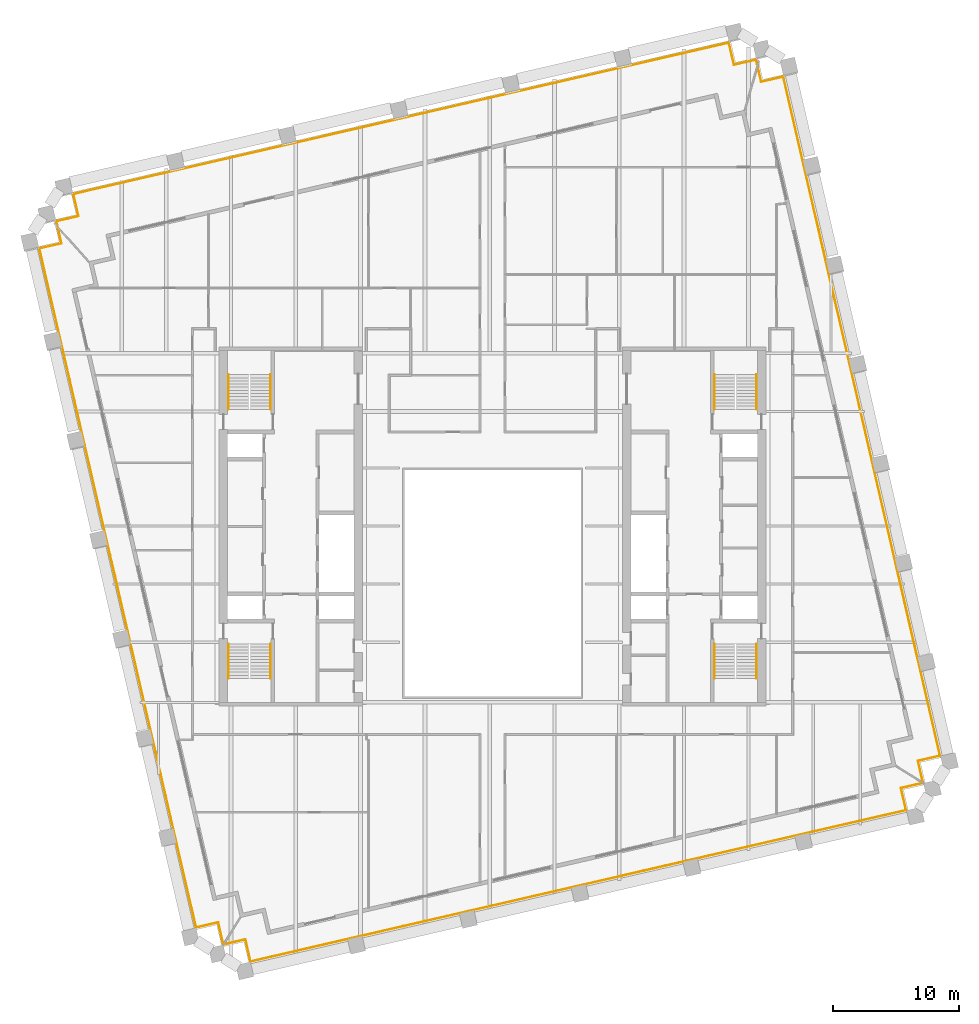
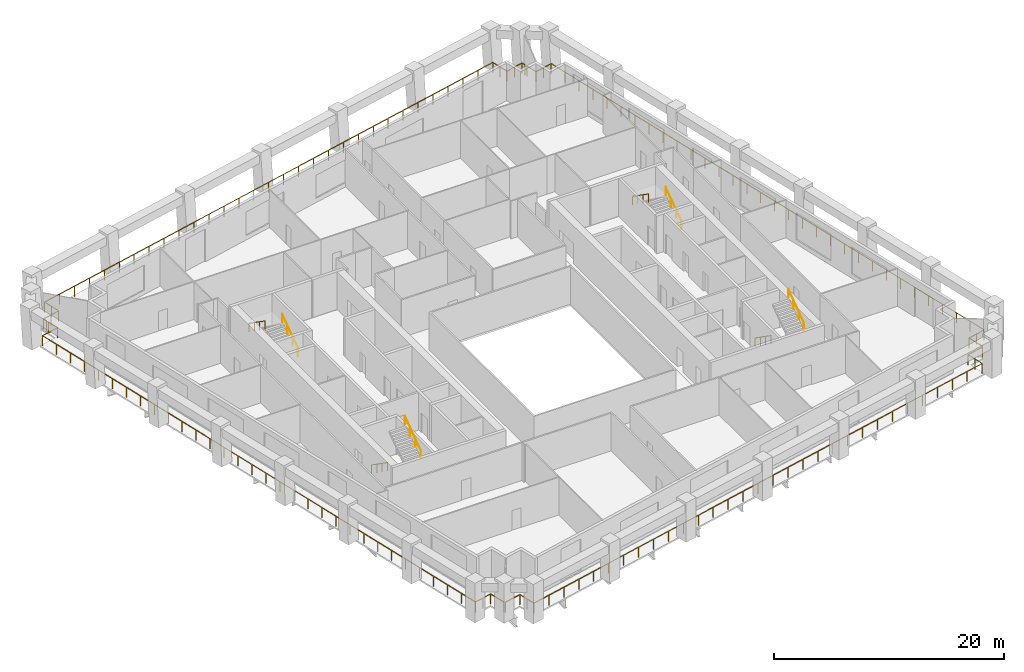
# One storey, part 10 of 10: 12 railings.
"""IFC4 building model written with IfcOpenShell, lengths in metres."""

from ifc_helpers import new_model, si_unit, direction, frame, origin, origin_2d, place, context, subcontext, project, spatial, circle, extrude, material, type_object, element, save


model = new_model("IFC4")

# Units and contexts
model_context = context("Model", 3, precision=1e-05, world=origin(), true_north=direction((0.0, 1.0)))
body_context = subcontext(model_context, "Body", "Model", "MODEL_VIEW")
ifc_project = project(units=[si_unit("LENGTHUNIT", "METRE"), si_unit("AREAUNIT", "SQUARE_METRE"), si_unit("VOLUMEUNIT", "CUBIC_METRE"), si_unit("PLANEANGLEUNIT", "RADIAN"), si_unit("MASSUNIT", "GRAM", prefix="KILO")], contexts=[model_context])

# Site, building, storey
site_placement = place(None, origin())
site = spatial("IfcSite", under=ifc_project, at=site_placement, CompositionType="ELEMENT")
building_placement = place(site_placement, origin())
building = spatial("IfcBuilding", under=site, at=building_placement, Name="Ogive Exchange Tower", CompositionType="ELEMENT")
storey_placement = place(building_placement, frame((0.0, 0.0, 188.39990234375)))
storey = spatial("IfcBuildingStorey", under=building, at=storey_placement, Name="L41", CompositionType="ELEMENT", Elevation=188.39990234375)

# Railings
ifc_material_1 = material(Name="Stainless steel 316", Category="steel")
railing_type_1 = type_object("IfcRailingType", Name="Guard 1100 stainless steel and glass", PredefinedType="GUARDRAIL", material=ifc_material_1)
railing_1_placement = place(storey_placement, frame((34.067138671875, -8.864013671875, -0.0498046875)))
element("IfcRailing", 1, at=railing_1_placement, inside=storey, type_object=railing_type_1, Name="Loggia guard 1", PredefinedType="GUARDRAIL", context=body_context, shape_type="SweptSolid", body=[
    extrude(circle(Radius=0.02392578125, at=origin_2d()), frame((0.0, 0.0, 1.076171875), z_axis=(-0.974364690374, -0.224974332206, 0.0), x_axis=(0.224974332206, -0.974364690374, 0.0)), (0.0, 0.0, 1.0), 1.7080078125),
    extrude(circle(Radius=0.02392578125, at=origin_2d()), frame((-1.664306640625, -0.38427734375, 1.076171875), z_axis=(0.224879318197, -0.974386623598, 0.0), x_axis=(0.974386623598, 0.224879318197, 0.0)), (0.0, 0.0, 1.0), 1.800048828125),
    extrude(circle(Radius=0.02392578125, at=origin_2d()), frame((-1.259521484375, -2.13818359375, 1.076171875), z_axis=(-0.97436998541, -0.224951398156, 0.0), x_axis=(0.224951398156, -0.97436998541, 0.0)), (0.0, 0.0, 1.0), 53.360107421875),
    extrude(circle(Radius=0.02392578125, at=origin_2d()), frame((-53.251953125, -14.1416015625, 1.076171875), z_axis=(-0.224879318197, 0.974386623598, 0.0), x_axis=(-0.974386623598, -0.224879318197, 0.0)), (0.0, 0.0, 1.0), 1.800048828125),
    extrude(circle(Radius=0.02392578125, at=origin_2d()), frame((-53.65673828125, -12.3876953125, 1.076171875), z_axis=(-0.974364690374, -0.224974332206, 0.0), x_axis=(0.224974332206, -0.974364690374, 0.0)), (0.0, 0.0, 1.0), 1.7080078125),
    extrude(circle(Radius=0.02099609375, at=origin_2d()), origin(), (0.0, 0.0, 1.0), 1.052001953125),
    extrude(circle(Radius=0.02099609375, at=origin_2d()), frame((-1.664306640625, -0.38427734375, 0.0)), (0.0, 0.0, 1.0), 1.052001953125),
    extrude(circle(Radius=0.02099609375, at=origin_2d()), frame((-1.4619140625, -1.26123046875, 0.0)), (0.0, 0.0, 1.0), 1.052001953125),
    extrude(circle(Radius=0.02099609375, at=origin_2d()), frame((-1.259521484375, -2.13818359375, 0.0)), (0.0, 0.0, 1.0), 1.052001953125),
    extrude(circle(Radius=0.02099609375, at=origin_2d()), frame((-2.99267578125, -2.538330078125, 0.0)), (0.0, 0.0, 1.0), 1.052001953125),
    extrude(circle(Radius=0.02099609375, at=origin_2d()), frame((-4.7255859375, -2.9384765625, 0.0)), (0.0, 0.0, 1.0), 1.052001953125),
    extrude(circle(Radius=0.02099609375, at=origin_2d()), frame((-6.458740234375, -3.338623046875, 0.0)), (0.0, 0.0, 1.0), 1.052001953125),
    extrude(circle(Radius=0.02099609375, at=origin_2d()), frame((-8.19189453125, -3.738525390625, 0.0)), (0.0, 0.0, 1.0), 1.052001953125),
    extrude(circle(Radius=0.02099609375, at=origin_2d()), frame((-9.9248046875, -4.138671875, 0.0)), (0.0, 0.0, 1.0), 1.052001953125),
    extrude(circle(Radius=0.02099609375, at=origin_2d()), frame((-11.657958984375, -4.538818359375, 0.0)), (0.0, 0.0, 1.0), 1.052001953125),
    extrude(circle(Radius=0.02099609375, at=origin_2d()), frame((-13.39111328125, -4.93896484375, 0.0)), (0.0, 0.0, 1.0), 1.052001953125),
    extrude(circle(Radius=0.02099609375, at=origin_2d()), frame((-15.124267578125, -5.339111328125, 0.0)), (0.0, 0.0, 1.0), 1.052001953125),
    extrude(circle(Radius=0.02099609375, at=origin_2d()), frame((-16.857177734375, -5.7392578125, 0.0)), (0.0, 0.0, 1.0), 1.052001953125),
    extrude(circle(Radius=0.02099609375, at=origin_2d()), frame((-18.59033203125, -6.139404296875, 0.0)), (0.0, 0.0, 1.0), 1.052001953125),
    extrude(circle(Radius=0.02099609375, at=origin_2d()), frame((-20.323486328125, -6.53955078125, 0.0)), (0.0, 0.0, 1.0), 1.052001953125),
    extrude(circle(Radius=0.02099609375, at=origin_2d()), frame((-22.056396484375, -6.939453125, 0.0)), (0.0, 0.0, 1.0), 1.052001953125),
    extrude(circle(Radius=0.02099609375, at=origin_2d()), frame((-23.78955078125, -7.339599609375, 0.0)), (0.0, 0.0, 1.0), 1.052001953125),
    extrude(circle(Radius=0.02099609375, at=origin_2d()), frame((-25.522705078125, -7.73974609375, 0.0)), (0.0, 0.0, 1.0), 1.052001953125),
    extrude(circle(Radius=0.02099609375, at=origin_2d()), frame((-27.255859375, -8.139892578125, 0.0)), (0.0, 0.0, 1.0), 1.052001953125),
    extrude(circle(Radius=0.02099609375, at=origin_2d()), frame((-28.98876953125, -8.5400390625, 0.0)), (0.0, 0.0, 1.0), 1.052001953125),
    extrude(circle(Radius=0.02099609375, at=origin_2d()), frame((-30.721923828125, -8.940185546875, 0.0)), (0.0, 0.0, 1.0), 1.052001953125),
    extrude(circle(Radius=0.02099609375, at=origin_2d()), frame((-32.455078125, -9.34033203125, 0.0)), (0.0, 0.0, 1.0), 1.052001953125),
    extrude(circle(Radius=0.02099609375, at=origin_2d()), frame((-34.18798828125, -9.740234375, 0.0)), (0.0, 0.0, 1.0), 1.052001953125),
    extrude(circle(Radius=0.02099609375, at=origin_2d()), frame((-35.921142578125, -10.140380859375, 0.0)), (0.0, 0.0, 1.0), 1.052001953125),
    extrude(circle(Radius=0.02099609375, at=origin_2d()), frame((-37.654296875, -10.54052734375, 0.0)), (0.0, 0.0, 1.0), 1.052001953125),
    extrude(circle(Radius=0.02099609375, at=origin_2d()), frame((-39.38720703125, -10.940673828125, 0.0)), (0.0, 0.0, 1.0), 1.052001953125),
    extrude(circle(Radius=0.02099609375, at=origin_2d()), frame((-41.120361328125, -11.3408203125, 0.0)), (0.0, 0.0, 1.0), 1.052001953125),
    extrude(circle(Radius=0.02099609375, at=origin_2d()), frame((-42.853515625, -11.740966796875, 0.0)), (0.0, 0.0, 1.0), 1.052001953125),
    extrude(circle(Radius=0.02099609375, at=origin_2d()), frame((-44.58642578125, -12.14111328125, 0.0)), (0.0, 0.0, 1.0), 1.052001953125),
    extrude(circle(Radius=0.02099609375, at=origin_2d()), frame((-46.319580078125, -12.541259765625, 0.0)), (0.0, 0.0, 1.0), 1.052001953125),
    extrude(circle(Radius=0.02099609375, at=origin_2d()), frame((-48.052734375, -12.941162109375, 0.0)), (0.0, 0.0, 1.0), 1.052001953125),
    extrude(circle(Radius=0.02099609375, at=origin_2d()), frame((-49.785888671875, -13.34130859375, 0.0)), (0.0, 0.0, 1.0), 1.052001953125),
    extrude(circle(Radius=0.02099609375, at=origin_2d()), frame((-51.518798828125, -13.741455078125, 0.0)), (0.0, 0.0, 1.0), 1.052001953125),
    extrude(circle(Radius=0.02099609375, at=origin_2d()), frame((-53.251953125, -14.1416015625, 0.0)), (0.0, 0.0, 1.0), 1.052001953125),
    extrude(circle(Radius=0.02099609375, at=origin_2d()), frame((-53.454345703125, -13.2646484375, 0.0)), (0.0, 0.0, 1.0), 1.052001953125),
    extrude(circle(Radius=0.02099609375, at=origin_2d()), frame((-53.65673828125, -12.3876953125, 0.0)), (0.0, 0.0, 1.0), 1.052001953125),
    extrude(circle(Radius=0.02099609375, at=origin_2d()), frame((-55.321044921875, -12.77197265625, 0.0)), (0.0, 0.0, 1.0), 1.052001953125),
])
railing_2_placement = place(storey_placement, frame((-21.364013671875, -21.567138671875, -0.0498046875)))
element("IfcRailing", 2, at=railing_2_placement, inside=storey, type_object=railing_type_1, Name="Loggia guard 2", PredefinedType="GUARDRAIL", context=body_context, shape_type="SweptSolid", body=[
    extrude(circle(Radius=0.02392578125, at=origin_2d()), frame((0.0, 0.0, 1.076171875), z_axis=(-0.224974332206, 0.974364690374, 0.0), x_axis=(-0.974364690374, -0.224974332206, 0.0)), (0.0, 0.0, 1.0), 1.7080078125),
    extrude(circle(Radius=0.02392578125, at=origin_2d()), frame((-0.38427734375, 1.664306640625, 1.076171875), z_axis=(-0.974386623598, -0.224879318197, 0.0), x_axis=(0.224879318197, -0.974386623598, 0.0)), (0.0, 0.0, 1.0), 1.800048828125),
    extrude(circle(Radius=0.02392578125, at=origin_2d()), frame((-2.13818359375, 1.259521484375, 1.076171875), z_axis=(-0.224950471313, 0.974370199388, 0.0), x_axis=(-0.974370199388, -0.224950471313, 0.0)), (0.0, 0.0, 1.0), 55.27587890625),
    extrude(circle(Radius=0.02392578125, at=origin_2d()), frame((-14.572509765625, 55.11865234375, 1.076171875), z_axis=(0.974379763188, 0.224909041816, 0.0), x_axis=(-0.224909041816, 0.974379763188, 0.0)), (0.0, 0.0, 1.0), 1.7998046875),
    extrude(circle(Radius=0.02392578125, at=origin_2d()), frame((-12.81884765625, 55.5234375, 1.076171875), z_axis=(-0.224889950606, 0.974384169677, 0.0), x_axis=(-0.974384169677, -0.224889950606, 0.0)), (0.0, 0.0, 1.0), 1.17138671875),
    extrude(circle(Radius=0.02099609375, at=origin_2d()), origin(), (0.0, 0.0, 1.0), 1.052001953125),
    extrude(circle(Radius=0.02099609375, at=origin_2d()), frame((-0.38427734375, 1.664306640625, 0.0)), (0.0, 0.0, 1.0), 1.052001953125),
    extrude(circle(Radius=0.02099609375, at=origin_2d()), frame((-1.26123046875, 1.4619140625, 0.0)), (0.0, 0.0, 1.0), 1.052001953125),
    extrude(circle(Radius=0.02099609375, at=origin_2d()), frame((-2.13818359375, 1.259521484375, 0.0)), (0.0, 0.0, 1.0), 1.052001953125),
    extrude(circle(Radius=0.02099609375, at=origin_2d()), frame((-2.539306640625, 2.996826171875, 0.0)), (0.0, 0.0, 1.0), 1.052001953125),
    extrude(circle(Radius=0.02099609375, at=origin_2d()), frame((-2.9404296875, 4.734375, 0.0)), (0.0, 0.0, 1.0), 1.052001953125),
    extrude(circle(Radius=0.02099609375, at=origin_2d()), frame((-3.341552734375, 6.4716796875, 0.0)), (0.0, 0.0, 1.0), 1.052001953125),
    extrude(circle(Radius=0.02099609375, at=origin_2d()), frame((-3.74267578125, 8.208984375, 0.0)), (0.0, 0.0, 1.0), 1.052001953125),
    extrude(circle(Radius=0.02099609375, at=origin_2d()), frame((-4.143798828125, 9.946533203125, 0.0)), (0.0, 0.0, 1.0), 1.052001953125),
    extrude(circle(Radius=0.02099609375, at=origin_2d()), frame((-4.544921875, 11.683837890625, 0.0)), (0.0, 0.0, 1.0), 1.052001953125),
    extrude(circle(Radius=0.02099609375, at=origin_2d()), frame((-4.946044921875, 13.421142578125, 0.0)), (0.0, 0.0, 1.0), 1.052001953125),
    extrude(circle(Radius=0.02099609375, at=origin_2d()), frame((-5.346923828125, 15.15869140625, 0.0)), (0.0, 0.0, 1.0), 1.052001953125),
    extrude(circle(Radius=0.02099609375, at=origin_2d()), frame((-5.748046875, 16.89599609375, 0.0)), (0.0, 0.0, 1.0), 1.052001953125),
    extrude(circle(Radius=0.02099609375, at=origin_2d()), frame((-6.149169921875, 18.633544921875, 0.0)), (0.0, 0.0, 1.0), 1.052001953125),
    extrude(circle(Radius=0.02099609375, at=origin_2d()), frame((-6.55029296875, 20.370849609375, 0.0)), (0.0, 0.0, 1.0), 1.052001953125),
    extrude(circle(Radius=0.02099609375, at=origin_2d()), frame((-6.951416015625, 22.108154296875, 0.0)), (0.0, 0.0, 1.0), 1.052001953125),
    extrude(circle(Radius=0.02099609375, at=origin_2d()), frame((-7.3525390625, 23.845703125, 0.0)), (0.0, 0.0, 1.0), 1.052001953125),
    extrude(circle(Radius=0.02099609375, at=origin_2d()), frame((-7.753662109375, 25.5830078125, 0.0)), (0.0, 0.0, 1.0), 1.052001953125),
    extrude(circle(Radius=0.02099609375, at=origin_2d()), frame((-8.15478515625, 27.3203125, 0.0)), (0.0, 0.0, 1.0), 1.052001953125),
    extrude(circle(Radius=0.02099609375, at=origin_2d()), frame((-8.555908203125, 29.057861328125, 0.0)), (0.0, 0.0, 1.0), 1.052001953125),
    extrude(circle(Radius=0.02099609375, at=origin_2d()), frame((-8.95703125, 30.795166015625, 0.0)), (0.0, 0.0, 1.0), 1.052001953125),
    extrude(circle(Radius=0.02099609375, at=origin_2d()), frame((-9.358154296875, 32.532470703125, 0.0)), (0.0, 0.0, 1.0), 1.052001953125),
    extrude(circle(Radius=0.02099609375, at=origin_2d()), frame((-9.75927734375, 34.27001953125, 0.0)), (0.0, 0.0, 1.0), 1.052001953125),
    extrude(circle(Radius=0.02099609375, at=origin_2d()), frame((-10.160400390625, 36.00732421875, 0.0)), (0.0, 0.0, 1.0), 1.052001953125),
    extrude(circle(Radius=0.02099609375, at=origin_2d()), frame((-10.5615234375, 37.74462890625, 0.0)), (0.0, 0.0, 1.0), 1.052001953125),
    extrude(circle(Radius=0.02099609375, at=origin_2d()), frame((-10.962646484375, 39.482177734375, 0.0)), (0.0, 0.0, 1.0), 1.052001953125),
    extrude(circle(Radius=0.02099609375, at=origin_2d()), frame((-11.36376953125, 41.219482421875, 0.0)), (0.0, 0.0, 1.0), 1.052001953125),
    extrude(circle(Radius=0.02099609375, at=origin_2d()), frame((-11.7646484375, 42.95703125, 0.0)), (0.0, 0.0, 1.0), 1.052001953125),
    extrude(circle(Radius=0.02099609375, at=origin_2d()), frame((-12.165771484375, 44.6943359375, 0.0)), (0.0, 0.0, 1.0), 1.052001953125),
    extrude(circle(Radius=0.02099609375, at=origin_2d()), frame((-12.56689453125, 46.431640625, 0.0)), (0.0, 0.0, 1.0), 1.052001953125),
    extrude(circle(Radius=0.02099609375, at=origin_2d()), frame((-12.968017578125, 48.169189453125, 0.0)), (0.0, 0.0, 1.0), 1.052001953125),
    extrude(circle(Radius=0.02099609375, at=origin_2d()), frame((-13.369140625, 49.906494140625, 0.0)), (0.0, 0.0, 1.0), 1.052001953125),
    extrude(circle(Radius=0.02099609375, at=origin_2d()), frame((-13.770263671875, 51.643798828125, 0.0)), (0.0, 0.0, 1.0), 1.052001953125),
    extrude(circle(Radius=0.02099609375, at=origin_2d()), frame((-14.17138671875, 53.38134765625, 0.0)), (0.0, 0.0, 1.0), 1.052001953125),
    extrude(circle(Radius=0.02099609375, at=origin_2d()), frame((-14.572509765625, 55.11865234375, 0.0)), (0.0, 0.0, 1.0), 1.052001953125),
    extrude(circle(Radius=0.02099609375, at=origin_2d()), frame((-12.81884765625, 55.5234375, 0.0)), (0.0, 0.0, 1.0), 1.052001953125),
    extrude(circle(Radius=0.02099609375, at=origin_2d()), frame((-13.082275390625, 56.664794921875, 0.0)), (0.0, 0.0, 1.0), 1.052001953125),
])
railing_3_placement = place(storey_placement, frame((-34.50634765625, 35.3583984375, -0.0498046875)))
element("IfcRailing", 3, at=railing_3_placement, inside=storey, type_object=railing_type_1, Name="Loggia guard 3", PredefinedType="GUARDRAIL", context=body_context, shape_type="SweptSolid", body=[
    extrude(circle(Radius=0.02392578125, at=origin_2d()), frame((0.0, 0.0, 1.076171875), z_axis=(-0.225155783902, 0.974322776587, 0.0), x_axis=(-0.974322776587, -0.225155783902, 0.0)), (0.0, 0.0, 1.0), 0.361083984375),
    extrude(circle(Radius=0.02392578125, at=origin_2d()), frame((-0.081298828125, 0.351806640625, 1.076171875), z_axis=(0.974356896201, 0.225008086135, 0.0), x_axis=(-0.225008086135, 0.974356896201, 0.0)), (0.0, 0.0, 1.0), 1.800048828125),
    extrude(circle(Radius=0.02392578125, at=origin_2d()), frame((1.672607421875, 0.7568359375, 1.076171875), z_axis=(-0.225008086135, 0.974356896201, 0.0), x_axis=(-0.974356896201, -0.225008086135, 0.0)), (0.0, 0.0, 1.0), 1.800048828125),
    extrude(circle(Radius=0.02392578125, at=origin_2d()), frame((1.267578125, 2.5107421875, 1.076171875), z_axis=(0.97436998541, 0.224951398156, 0.0), x_axis=(-0.224951398156, 0.97436998541, 0.0)), (0.0, 0.0, 1.0), 53.360107421875),
    extrude(circle(Radius=0.02392578125, at=origin_2d()), frame((53.260009765625, 14.51416015625, 1.076171875), z_axis=(0.225008086135, -0.974356896201, 0.0), x_axis=(0.974356896201, 0.225008086135, 0.0)), (0.0, 0.0, 1.0), 1.800048828125),
    extrude(circle(Radius=0.02392578125, at=origin_2d()), frame((53.6650390625, 12.76025390625, 1.076171875), z_axis=(0.974386623598, 0.224879318197, 0.0), x_axis=(-0.224879318197, 0.974386623598, 0.0)), (0.0, 0.0, 1.0), 1.800048828125),
    extrude(circle(Radius=0.02392578125, at=origin_2d()), frame((55.4189453125, 13.1650390625, 1.076171875), z_axis=(0.224513771123, -0.974470916229, 0.0), x_axis=(0.974470916229, 0.224513771123, 0.0)), (0.0, 0.0, 1.0), 0.361083984375),
    extrude(circle(Radius=0.02099609375, at=origin_2d()), origin(), (0.0, 0.0, 1.0), 1.052001953125),
    extrude(circle(Radius=0.02099609375, at=origin_2d()), frame((-0.081298828125, 0.351806640625, 0.0)), (0.0, 0.0, 1.0), 1.052001953125),
    extrude(circle(Radius=0.02099609375, at=origin_2d()), frame((0.795654296875, 0.55419921875, 0.0)), (0.0, 0.0, 1.0), 1.052001953125),
    extrude(circle(Radius=0.02099609375, at=origin_2d()), frame((1.672607421875, 0.7568359375, 0.0)), (0.0, 0.0, 1.0), 1.052001953125),
    extrude(circle(Radius=0.02099609375, at=origin_2d()), frame((1.47021484375, 1.6337890625, 0.0)), (0.0, 0.0, 1.0), 1.052001953125),
    extrude(circle(Radius=0.02099609375, at=origin_2d()), frame((1.267578125, 2.5107421875, 0.0)), (0.0, 0.0, 1.0), 1.052001953125),
    extrude(circle(Radius=0.02099609375, at=origin_2d()), frame((3.000732421875, 2.910888671875, 0.0)), (0.0, 0.0, 1.0), 1.052001953125),
    extrude(circle(Radius=0.02099609375, at=origin_2d()), frame((4.733642578125, 3.31103515625, 0.0)), (0.0, 0.0, 1.0), 1.052001953125),
    extrude(circle(Radius=0.02099609375, at=origin_2d()), frame((6.466796875, 3.711181640625, 0.0)), (0.0, 0.0, 1.0), 1.052001953125),
    extrude(circle(Radius=0.02099609375, at=origin_2d()), frame((8.199951171875, 4.111083984375, 0.0)), (0.0, 0.0, 1.0), 1.052001953125),
    extrude(circle(Radius=0.02099609375, at=origin_2d()), frame((9.93310546875, 4.51123046875, 0.0)), (0.0, 0.0, 1.0), 1.052001953125),
    extrude(circle(Radius=0.02099609375, at=origin_2d()), frame((11.666015625, 4.911376953125, 0.0)), (0.0, 0.0, 1.0), 1.052001953125),
    extrude(circle(Radius=0.02099609375, at=origin_2d()), frame((13.399169921875, 5.3115234375, 0.0)), (0.0, 0.0, 1.0), 1.052001953125),
    extrude(circle(Radius=0.02099609375, at=origin_2d()), frame((15.13232421875, 5.711669921875, 0.0)), (0.0, 0.0, 1.0), 1.052001953125),
    extrude(circle(Radius=0.02099609375, at=origin_2d()), frame((16.865234375, 6.11181640625, 0.0)), (0.0, 0.0, 1.0), 1.052001953125),
    extrude(circle(Radius=0.02099609375, at=origin_2d()), frame((18.598388671875, 6.511962890625, 0.0)), (0.0, 0.0, 1.0), 1.052001953125),
    extrude(circle(Radius=0.02099609375, at=origin_2d()), frame((20.33154296875, 6.912109375, 0.0)), (0.0, 0.0, 1.0), 1.052001953125),
    extrude(circle(Radius=0.02099609375, at=origin_2d()), frame((22.064453125, 7.31201171875, 0.0)), (0.0, 0.0, 1.0), 1.052001953125),
    extrude(circle(Radius=0.02099609375, at=origin_2d()), frame((23.797607421875, 7.712158203125, 0.0)), (0.0, 0.0, 1.0), 1.052001953125),
    extrude(circle(Radius=0.02099609375, at=origin_2d()), frame((25.53076171875, 8.1123046875, 0.0)), (0.0, 0.0, 1.0), 1.052001953125),
    extrude(circle(Radius=0.02099609375, at=origin_2d()), frame((27.263671875, 8.512451171875, 0.0)), (0.0, 0.0, 1.0), 1.052001953125),
    extrude(circle(Radius=0.02099609375, at=origin_2d()), frame((28.996826171875, 8.91259765625, 0.0)), (0.0, 0.0, 1.0), 1.052001953125),
    extrude(circle(Radius=0.02099609375, at=origin_2d()), frame((30.72998046875, 9.312744140625, 0.0)), (0.0, 0.0, 1.0), 1.052001953125),
    extrude(circle(Radius=0.02099609375, at=origin_2d()), frame((32.463134765625, 9.712890625, 0.0)), (0.0, 0.0, 1.0), 1.052001953125),
    extrude(circle(Radius=0.02099609375, at=origin_2d()), frame((34.196044921875, 10.11279296875, 0.0)), (0.0, 0.0, 1.0), 1.052001953125),
    extrude(circle(Radius=0.02099609375, at=origin_2d()), frame((35.92919921875, 10.512939453125, 0.0)), (0.0, 0.0, 1.0), 1.052001953125),
    extrude(circle(Radius=0.02099609375, at=origin_2d()), frame((37.662353515625, 10.9130859375, 0.0)), (0.0, 0.0, 1.0), 1.052001953125),
    extrude(circle(Radius=0.02099609375, at=origin_2d()), frame((39.395263671875, 11.313232421875, 0.0)), (0.0, 0.0, 1.0), 1.052001953125),
    extrude(circle(Radius=0.02099609375, at=origin_2d()), frame((41.12841796875, 11.71337890625, 0.0)), (0.0, 0.0, 1.0), 1.052001953125),
    extrude(circle(Radius=0.02099609375, at=origin_2d()), frame((42.861572265625, 12.113525390625, 0.0)), (0.0, 0.0, 1.0), 1.052001953125),
    extrude(circle(Radius=0.02099609375, at=origin_2d()), frame((44.5947265625, 12.513671875, 0.0)), (0.0, 0.0, 1.0), 1.052001953125),
    extrude(circle(Radius=0.02099609375, at=origin_2d()), frame((46.32763671875, 12.913818359375, 0.0)), (0.0, 0.0, 1.0), 1.052001953125),
    extrude(circle(Radius=0.02099609375, at=origin_2d()), frame((48.060791015625, 13.313720703125, 0.0)), (0.0, 0.0, 1.0), 1.052001953125),
    extrude(circle(Radius=0.02099609375, at=origin_2d()), frame((49.7939453125, 13.7138671875, 0.0)), (0.0, 0.0, 1.0), 1.052001953125),
    extrude(circle(Radius=0.02099609375, at=origin_2d()), frame((51.52685546875, 14.114013671875, 0.0)), (0.0, 0.0, 1.0), 1.052001953125),
    extrude(circle(Radius=0.02099609375, at=origin_2d()), frame((53.260009765625, 14.51416015625, 0.0)), (0.0, 0.0, 1.0), 1.052001953125),
    extrude(circle(Radius=0.02099609375, at=origin_2d()), frame((53.46240234375, 13.63720703125, 0.0)), (0.0, 0.0, 1.0), 1.052001953125),
    extrude(circle(Radius=0.02099609375, at=origin_2d()), frame((53.6650390625, 12.76025390625, 0.0)), (0.0, 0.0, 1.0), 1.052001953125),
    extrude(circle(Radius=0.02099609375, at=origin_2d()), frame((54.5419921875, 12.962646484375, 0.0)), (0.0, 0.0, 1.0), 1.052001953125),
    extrude(circle(Radius=0.02099609375, at=origin_2d()), frame((55.4189453125, 13.1650390625, 0.0)), (0.0, 0.0, 1.0), 1.052001953125),
    extrude(circle(Radius=0.02099609375, at=origin_2d()), frame((55.5, 12.813232421875, 0.0)), (0.0, 0.0, 1.0), 1.052001953125),
])
railing_4_placement = place(storey_placement, frame((21.053955078125, 47.910888671875, -0.0498046875)))
element("IfcRailing", 4, at=railing_4_placement, inside=storey, type_object=railing_type_1, Name="Loggia guard 4", PredefinedType="GUARDRAIL", context=body_context, shape_type="SweptSolid", body=[
    extrude(circle(Radius=0.02392578125, at=origin_2d()), frame((0.0, 0.0, 1.076171875), z_axis=(0.224935631514, -0.974373625298, 0.0), x_axis=(0.974373625298, 0.224935631514, 0.0)), (0.0, 0.0, 1.0), 1.171142578125),
    extrude(circle(Radius=0.02392578125, at=origin_2d()), frame((0.263427734375, -1.14111328125, 1.076171875), z_axis=(0.974386623598, 0.224879318197, 0.0), x_axis=(-0.224879318197, 0.974386623598, 0.0)), (0.0, 0.0, 1.0), 1.800048828125),
    extrude(circle(Radius=0.02392578125, at=origin_2d()), frame((2.017333984375, -0.736328125, 1.076171875), z_axis=(0.224949503228, -0.974370422887, 0.0), x_axis=(0.974370422887, 0.224949503228, 0.0)), (0.0, 0.0, 1.0), 55.276123046875),
    extrude(circle(Radius=0.02392578125, at=origin_2d()), frame((14.45166015625, -54.595703125, 1.076171875), z_axis=(-0.974386623598, -0.224879318197, 0.0), x_axis=(0.224879318197, -0.974386623598, 0.0)), (0.0, 0.0, 1.0), 1.800048828125),
    extrude(circle(Radius=0.02392578125, at=origin_2d()), frame((12.69775390625, -55.00048828125, 1.076171875), z_axis=(0.224974332206, -0.974364690374, 0.0), x_axis=(0.974364690374, 0.224974332206, 0.0)), (0.0, 0.0, 1.0), 1.7080078125),
    extrude(circle(Radius=0.02099609375, at=origin_2d()), origin(), (0.0, 0.0, 1.0), 1.052001953125),
    extrude(circle(Radius=0.02099609375, at=origin_2d()), frame((0.263427734375, -1.14111328125, 0.0)), (0.0, 0.0, 1.0), 1.052001953125),
    extrude(circle(Radius=0.02099609375, at=origin_2d()), frame((1.140380859375, -0.938720703125, 0.0)), (0.0, 0.0, 1.0), 1.052001953125),
    extrude(circle(Radius=0.02099609375, at=origin_2d()), frame((2.017333984375, -0.736328125, 0.0)), (0.0, 0.0, 1.0), 1.052001953125),
    extrude(circle(Radius=0.02099609375, at=origin_2d()), frame((2.41845703125, -2.4736328125, 0.0)), (0.0, 0.0, 1.0), 1.052001953125),
    extrude(circle(Radius=0.02099609375, at=origin_2d()), frame((2.819580078125, -4.211181640625, 0.0)), (0.0, 0.0, 1.0), 1.052001953125),
    extrude(circle(Radius=0.02099609375, at=origin_2d()), frame((3.220703125, -5.948486328125, 0.0)), (0.0, 0.0, 1.0), 1.052001953125),
    extrude(circle(Radius=0.02099609375, at=origin_2d()), frame((3.621826171875, -7.68603515625, 0.0)), (0.0, 0.0, 1.0), 1.052001953125),
    extrude(circle(Radius=0.02099609375, at=origin_2d()), frame((4.02294921875, -9.42333984375, 0.0)), (0.0, 0.0, 1.0), 1.052001953125),
    extrude(circle(Radius=0.02099609375, at=origin_2d()), frame((4.424072265625, -11.16064453125, 0.0)), (0.0, 0.0, 1.0), 1.052001953125),
    extrude(circle(Radius=0.02099609375, at=origin_2d()), frame((4.8251953125, -12.898193359375, 0.0)), (0.0, 0.0, 1.0), 1.052001953125),
    extrude(circle(Radius=0.02099609375, at=origin_2d()), frame((5.22607421875, -14.635498046875, 0.0)), (0.0, 0.0, 1.0), 1.052001953125),
    extrude(circle(Radius=0.02099609375, at=origin_2d()), frame((5.627197265625, -16.372802734375, 0.0)), (0.0, 0.0, 1.0), 1.052001953125),
    extrude(circle(Radius=0.02099609375, at=origin_2d()), frame((6.0283203125, -18.1103515625, 0.0)), (0.0, 0.0, 1.0), 1.052001953125),
    extrude(circle(Radius=0.02099609375, at=origin_2d()), frame((6.429443359375, -19.84765625, 0.0)), (0.0, 0.0, 1.0), 1.052001953125),
    extrude(circle(Radius=0.02099609375, at=origin_2d()), frame((6.83056640625, -21.585205078125, 0.0)), (0.0, 0.0, 1.0), 1.052001953125),
    extrude(circle(Radius=0.02099609375, at=origin_2d()), frame((7.231689453125, -23.322509765625, 0.0)), (0.0, 0.0, 1.0), 1.052001953125),
    extrude(circle(Radius=0.02099609375, at=origin_2d()), frame((7.6328125, -25.059814453125, 0.0)), (0.0, 0.0, 1.0), 1.052001953125),
    extrude(circle(Radius=0.02099609375, at=origin_2d()), frame((8.033935546875, -26.79736328125, 0.0)), (0.0, 0.0, 1.0), 1.052001953125),
    extrude(circle(Radius=0.02099609375, at=origin_2d()), frame((8.43505859375, -28.53466796875, 0.0)), (0.0, 0.0, 1.0), 1.052001953125),
    extrude(circle(Radius=0.02099609375, at=origin_2d()), frame((8.836181640625, -30.272216796875, 0.0)), (0.0, 0.0, 1.0), 1.052001953125),
    extrude(circle(Radius=0.02099609375, at=origin_2d()), frame((9.2373046875, -32.009521484375, 0.0)), (0.0, 0.0, 1.0), 1.052001953125),
    extrude(circle(Radius=0.02099609375, at=origin_2d()), frame((9.638427734375, -33.746826171875, 0.0)), (0.0, 0.0, 1.0), 1.052001953125),
    extrude(circle(Radius=0.02099609375, at=origin_2d()), frame((10.03955078125, -35.484375, 0.0)), (0.0, 0.0, 1.0), 1.052001953125),
    extrude(circle(Radius=0.02099609375, at=origin_2d()), frame((10.440673828125, -37.2216796875, 0.0)), (0.0, 0.0, 1.0), 1.052001953125),
    extrude(circle(Radius=0.02099609375, at=origin_2d()), frame((10.841796875, -38.959228515625, 0.0)), (0.0, 0.0, 1.0), 1.052001953125),
    extrude(circle(Radius=0.02099609375, at=origin_2d()), frame((11.242919921875, -40.696533203125, 0.0)), (0.0, 0.0, 1.0), 1.052001953125),
    extrude(circle(Radius=0.02099609375, at=origin_2d()), frame((11.643798828125, -42.433837890625, 0.0)), (0.0, 0.0, 1.0), 1.052001953125),
    extrude(circle(Radius=0.02099609375, at=origin_2d()), frame((12.044921875, -44.17138671875, 0.0)), (0.0, 0.0, 1.0), 1.052001953125),
    extrude(circle(Radius=0.02099609375, at=origin_2d()), frame((12.446044921875, -45.90869140625, 0.0)), (0.0, 0.0, 1.0), 1.052001953125),
    extrude(circle(Radius=0.02099609375, at=origin_2d()), frame((12.84716796875, -47.64599609375, 0.0)), (0.0, 0.0, 1.0), 1.052001953125),
    extrude(circle(Radius=0.02099609375, at=origin_2d()), frame((13.248291015625, -49.383544921875, 0.0)), (0.0, 0.0, 1.0), 1.052001953125),
    extrude(circle(Radius=0.02099609375, at=origin_2d()), frame((13.6494140625, -51.120849609375, 0.0)), (0.0, 0.0, 1.0), 1.052001953125),
    extrude(circle(Radius=0.02099609375, at=origin_2d()), frame((14.050537109375, -52.8583984375, 0.0)), (0.0, 0.0, 1.0), 1.052001953125),
    extrude(circle(Radius=0.02099609375, at=origin_2d()), frame((14.45166015625, -54.595703125, 0.0)), (0.0, 0.0, 1.0), 1.052001953125),
    extrude(circle(Radius=0.02099609375, at=origin_2d()), frame((13.57470703125, -54.798095703125, 0.0)), (0.0, 0.0, 1.0), 1.052001953125),
    extrude(circle(Radius=0.02099609375, at=origin_2d()), frame((12.69775390625, -55.00048828125, 0.0)), (0.0, 0.0, 1.0), 1.052001953125),
    extrude(circle(Radius=0.02099609375, at=origin_2d()), frame((13.08203125, -56.664794921875, 0.0)), (0.0, 0.0, 1.0), 1.052001953125),
])
ifc_material_2 = material(Name="Stainless steel", Category="steel")
railing_type_2 = type_object("IfcRailingType", Name="Stair handrail 900", PredefinedType="HANDRAIL", material=ifc_material_2)
railing_5_placement = place(storey_placement, frame((-20.949951171875, 2.199951171875, 0.175048828125)))
element("IfcRailing", 5, at=railing_5_placement, inside=storey, type_object=railing_type_2, Name="L41 ST1 stair handrail 1", PredefinedType="HANDRAIL", context=body_context, shape_type="SweptSolid", body=[
    extrude(circle(Radius=0.02392578125, at=origin_2d()), frame((0.0, 0.0, 0.8759765625), z_axis=(0.0, -0.819225086817, 0.573472106672), x_axis=(1.0, 0.0, 0.0)), (0.0, 0.0, 1.0), 3.35693359375),
    extrude(circle(Radius=0.02099609375, at=origin_2d()), origin(), (0.0, 0.0, 1.0), 0.851806640625),
    extrude(circle(Radius=0.02099609375, at=origin_2d()), frame((0.0, -0.916748046875, 0.6416015625)), (0.0, 0.0, 1.0), 0.851806640625),
    extrude(circle(Radius=0.02099609375, at=origin_2d()), frame((0.0, -1.833251953125, 1.283447265625)), (0.0, 0.0, 1.0), 0.851806640625),
    extrude(circle(Radius=0.02099609375, at=origin_2d()), frame((0.0, -2.75, 1.925048828125)), (0.0, 0.0, 1.0), 0.851806640625),
])
for number, where, name in (
    (6, (-17.60009765625, -0.550048828125, 2.275146484375), "L41 ST1 stair handrail 2"),
    (7, (-17.60009765625, 20.800048828125, 0.175048828125), "L41 ST2 stair handrail 1"),
):
    element("IfcRailing", number, at=place(storey_placement, frame(where)), inside=storey, type_object=railing_type_2, Name=name, PredefinedType="HANDRAIL", context=body_context, shape_type="SweptSolid", body=[
        extrude(circle(Radius=0.02392578125, at=origin_2d()), frame((0.0, 0.0, 0.8759765625), z_axis=(0.0, 0.819225086817, 0.573472106672), x_axis=(-1.0, 0.0, 0.0)), (0.0, 0.0, 1.0), 3.35693359375),
        extrude(circle(Radius=0.02099609375, at=origin_2d()), origin(), (0.0, 0.0, 1.0), 0.851806640625),
        extrude(circle(Radius=0.02099609375, at=origin_2d()), frame((0.0, 0.916748046875, 0.6416015625)), (0.0, 0.0, 1.0), 0.851806640625),
        extrude(circle(Radius=0.02099609375, at=origin_2d()), frame((0.0, 1.833251953125, 1.283447265625)), (0.0, 0.0, 1.0), 0.851806640625),
        extrude(circle(Radius=0.02099609375, at=origin_2d()), frame((0.0, 2.75, 1.925048828125)), (0.0, 0.0, 1.0), 0.851806640625),
    ])
for number, where, name in (
    (8, (-20.949951171875, 23.550048828125, 2.275146484375), "L41 ST2 stair handrail 2"),
    (9, (17.60009765625, 2.199951171875, 0.175048828125), "L41 ST3 stair handrail 1"),
):
    element("IfcRailing", number, at=place(storey_placement, frame(where)), inside=storey, type_object=railing_type_2, Name=name, PredefinedType="HANDRAIL", context=body_context, shape_type="SweptSolid", body=[
        extrude(circle(Radius=0.02392578125, at=origin_2d()), frame((0.0, 0.0, 0.8759765625), z_axis=(0.0, -0.819225086817, 0.573472106672), x_axis=(1.0, 0.0, 0.0)), (0.0, 0.0, 1.0), 3.35693359375),
        extrude(circle(Radius=0.02099609375, at=origin_2d()), origin(), (0.0, 0.0, 1.0), 0.851806640625),
        extrude(circle(Radius=0.02099609375, at=origin_2d()), frame((0.0, -0.916748046875, 0.6416015625)), (0.0, 0.0, 1.0), 0.851806640625),
        extrude(circle(Radius=0.02099609375, at=origin_2d()), frame((0.0, -1.833251953125, 1.283447265625)), (0.0, 0.0, 1.0), 0.851806640625),
        extrude(circle(Radius=0.02099609375, at=origin_2d()), frame((0.0, -2.75, 1.925048828125)), (0.0, 0.0, 1.0), 0.851806640625),
    ])
for number, where, name in (
    (10, (20.949951171875, -0.550048828125, 2.275146484375), "L41 ST3 stair handrail 2"),
    (11, (20.949951171875, 20.800048828125, 0.175048828125), "L41 ST4 stair handrail 1"),
):
    element("IfcRailing", number, at=place(storey_placement, frame(where)), inside=storey, type_object=railing_type_2, Name=name, PredefinedType="HANDRAIL", context=body_context, shape_type="SweptSolid", body=[
        extrude(circle(Radius=0.02392578125, at=origin_2d()), frame((0.0, 0.0, 0.8759765625), z_axis=(0.0, 0.819225086817, 0.573472106672), x_axis=(-1.0, 0.0, 0.0)), (0.0, 0.0, 1.0), 3.35693359375),
        extrude(circle(Radius=0.02099609375, at=origin_2d()), origin(), (0.0, 0.0, 1.0), 0.851806640625),
        extrude(circle(Radius=0.02099609375, at=origin_2d()), frame((0.0, 0.916748046875, 0.6416015625)), (0.0, 0.0, 1.0), 0.851806640625),
        extrude(circle(Radius=0.02099609375, at=origin_2d()), frame((0.0, 1.833251953125, 1.283447265625)), (0.0, 0.0, 1.0), 0.851806640625),
        extrude(circle(Radius=0.02099609375, at=origin_2d()), frame((0.0, 2.75, 1.925048828125)), (0.0, 0.0, 1.0), 0.851806640625),
    ])
railing_6_placement = place(storey_placement, frame((17.60009765625, 23.550048828125, 2.275146484375)))
element("IfcRailing", 12, at=railing_6_placement, inside=storey, type_object=railing_type_2, Name="L41 ST4 stair handrail 2", PredefinedType="HANDRAIL", context=body_context, shape_type="SweptSolid", body=[
    extrude(circle(Radius=0.02392578125, at=origin_2d()), frame((0.0, 0.0, 0.8759765625), z_axis=(0.0, -0.819225086817, 0.573472106672), x_axis=(1.0, 0.0, 0.0)), (0.0, 0.0, 1.0), 3.35693359375),
    extrude(circle(Radius=0.02099609375, at=origin_2d()), origin(), (0.0, 0.0, 1.0), 0.851806640625),
    extrude(circle(Radius=0.02099609375, at=origin_2d()), frame((0.0, -0.916748046875, 0.6416015625)), (0.0, 0.0, 1.0), 0.851806640625),
    extrude(circle(Radius=0.02099609375, at=origin_2d()), frame((0.0, -1.833251953125, 1.283447265625)), (0.0, 0.0, 1.0), 0.851806640625),
    extrude(circle(Radius=0.02099609375, at=origin_2d()), frame((0.0, -2.75, 1.925048828125)), (0.0, 0.0, 1.0), 0.851806640625),
])

save(model, "model.ifc")
